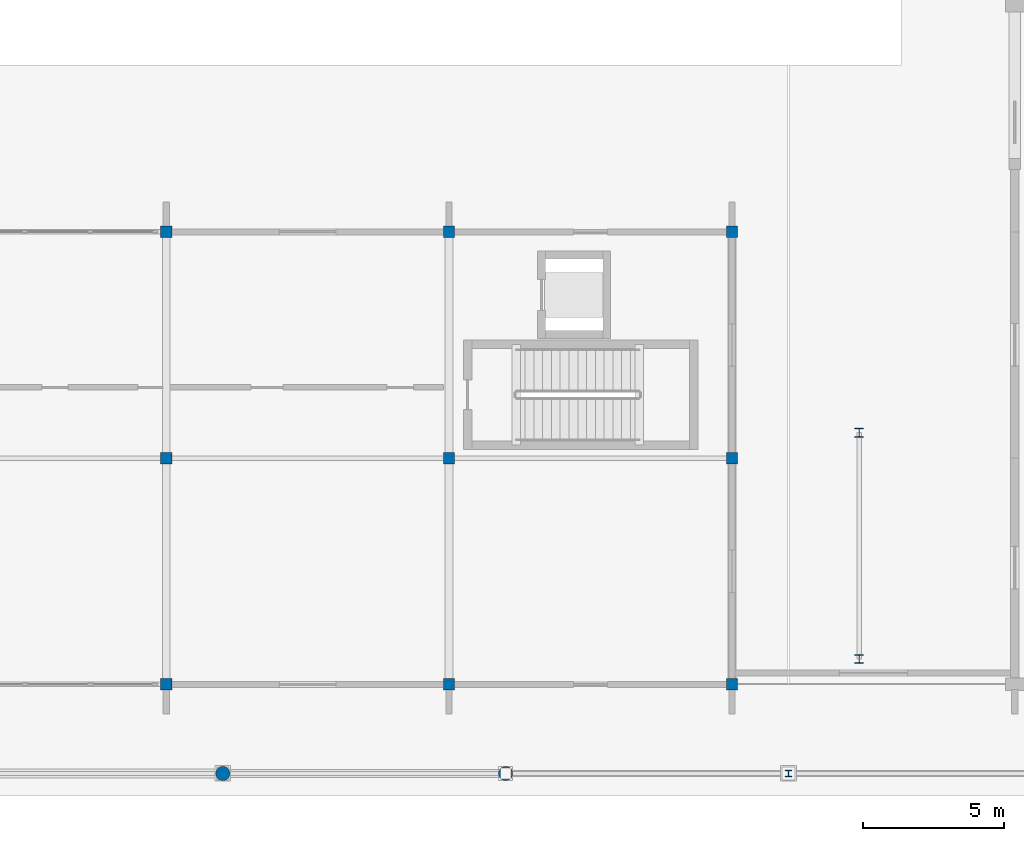
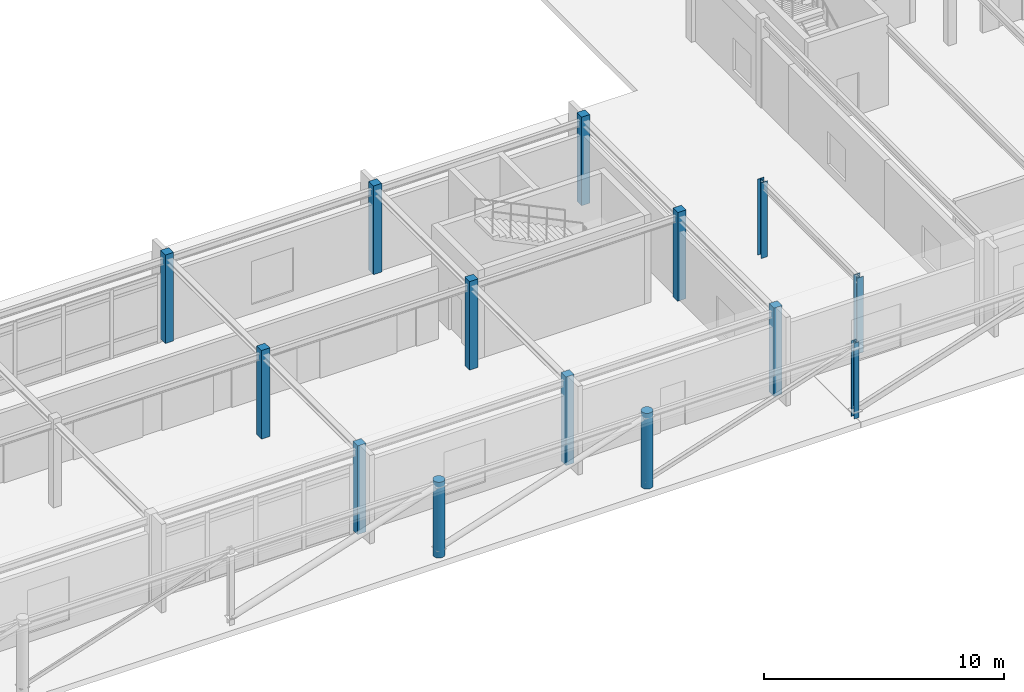
# One storey, part 2 of 61: 14 columns.
"""IFC4 building model written with IfcOpenShell, lengths in metres."""

from ifc_helpers import new_model, si_unit, direction, frame, origin, origin_2d, place, context, subcontext, project, spatial, rectangle, circle, i_section, extrude, material, material_profile, profile_set, type_object, element, save


model = new_model("IFC4")

# Units and contexts
model_context = context("Model", 3, precision=1e-05, world=origin(), true_north=direction((0.0, 1.0)))
body_context = subcontext(model_context, "Body", "Model", "MODEL_VIEW")
ifc_project = project(units=[si_unit("LENGTHUNIT", "METRE"), si_unit("AREAUNIT", "SQUARE_METRE"), si_unit("VOLUMEUNIT", "CUBIC_METRE"), si_unit("PLANEANGLEUNIT", "RADIAN"), si_unit("MASSUNIT", "GRAM", prefix="KILO")], contexts=[model_context])

# Site, building, storey
site_placement = place(None, origin())
site = spatial("IfcSite", under=ifc_project, at=site_placement, CompositionType="ELEMENT")
building_placement = place(site_placement, origin())
building = spatial("IfcBuilding", under=site, at=building_placement, Name="Zimvara Arc Housing Community", CompositionType="ELEMENT")
storey_placement = place(building_placement, origin())
storey = spatial("IfcBuildingStorey", under=building, at=storey_placement, Name="L00", CompositionType="ELEMENT", Elevation=0.0)

# Columns
ifc_material_1 = material(Name="Concrete C40/50", Category="concrete")
ifc_material_profile_1 = material_profile(ifc_material_1, rectangle(XDim=0.39990234375, YDim=0.39990234375, at=origin_2d()), Name="RC 400x400")
ifc_profile_set_1 = profile_set([ifc_material_profile_1], Name="Concrete C40/50")
column_type_1 = type_object("IfcColumnType", Name="COL-RC-400x400", PredefinedType="COLUMN", material=ifc_profile_set_1)
for number, where, z_axis, x_axis, name in (
    (1, (38.0, 3.60009765625, 0.0), (0.0, 0.0, 1.0), (1.0, 0.0, 0.0), "col:shops:L00:x4:y0"),
    (2, (38.0, 11.60009765625, 0.0), (0.0, 0.0, 1.0), (1.0, 0.0, 0.0), "col:shops:L00:x4:y1"),
    (3, (38.0, 19.60009765625, 0.0), (0.0, 0.0, 1.0), (1.0, 0.0, 0.0), "col:shops:L00:x4:y2"),
    (4, (48.0, 3.60009765625, 0.0), (0.0, 0.0, 1.0), (1.0, 0.0, 0.0), "col:shops:L00:x5:y0"),
    (5, (48.0, 11.60009765625, 0.0), (0.0, 0.0, 1.0), (1.0, 0.0, 0.0), "col:shops:L00:x5:y1"),
    (6, (48.0, 19.60009765625, 0.0), (0.0, 0.0, 1.0), (1.0, 0.0, 0.0), "col:shops:L00:x5:y2"),
    (7, (58.0, 3.60009765625, 0.0), (0.0, 0.0, 1.0), (1.0, 0.0, 0.0), "col:shops:L00:x6:y0"),
    (8, (58.0, 11.60009765625, 0.0), (0.0, 0.0, 1.0), (1.0, 0.0, 0.0), "col:shops:L00:x6:y1"),
    (9, (58.0, 19.60009765625, 0.0), (0.0, 0.0, 1.0), (1.0, 0.0, 0.0), "col:shops:L00:x6:y2"),
):
    element("IfcColumn", number, at=place(storey_placement, frame(where, z_axis=z_axis, x_axis=x_axis)), inside=storey, type_object=column_type_1, Name=name, PredefinedType="COLUMN", context=body_context, shape_type="SweptSolid", body=[
        extrude(rectangle(XDim=0.39990234375, YDim=0.39990234375, at=origin_2d()), origin(), (0.0, 0.0, 1.0), 4.5),
    ])
ifc_material_2 = material(Name="Concrete C40/50", Category="concrete")
ifc_material_profile_2 = material_profile(ifc_material_2, circle(Radius=0.25, at=origin_2d()), Name="RC D500")
ifc_profile_set_2 = profile_set([ifc_material_profile_2], Name="Concrete C40/50")
column_type_2 = type_object("IfcColumnType", Name="COL-RC-D500", PredefinedType="COLUMN", material=ifc_profile_set_2)
for number, where, z_axis, x_axis, name in (
    (10, (40.0, 0.449951171875, 0.0), (0.0, 0.0, 1.0), (1.0, 0.0, 0.0), "col:colonnade:L00:4"),
    (11, (50.0, 0.449951171875, 0.0), (0.0, 0.0, 1.0), (1.0, 0.0, 0.0), "col:colonnade:L00:5"),
):
    element("IfcColumn", number, at=place(storey_placement, frame(where, z_axis=z_axis, x_axis=x_axis)), inside=storey, type_object=column_type_2, Name=name, PredefinedType="COLUMN", context=body_context, shape_type="SweptSolid", body=[
        extrude(circle(Radius=0.25, at=origin_2d()), origin(), (0.0, 0.0, 1.0), 3.85009765625),
    ])
ifc_material_3 = material(Name="Steel S355", Category="steel")
ifc_material_profile_3 = material_profile(ifc_material_3, i_section(OverallWidth=0.300048828125, OverallDepth=0.31005859375, WebThickness=0.009033203125, FlangeThickness=0.015380859375, FilletRadius=0.027099609375, at=origin_2d()), Name="HEA 320")
ifc_profile_set_3 = profile_set([ifc_material_profile_3], Name="Steel S355")
column_type_3 = type_object("IfcColumnType", Name="COL-ST-HEA320", PredefinedType="COLUMN", material=ifc_profile_set_3)
column_1_placement = place(storey_placement, frame((62.5, 12.5, 0.0), z_axis=(0.0, 0.0, 1.0), x_axis=(1.0, 0.0, 0.0)))
element("IfcColumn", 12, at=column_1_placement, inside=storey, type_object=column_type_3, Name="col:portal:L00:corepad:1", PredefinedType="COLUMN", context=body_context, shape_type="SweptSolid", body=[
    extrude(i_section(OverallWidth=0.300048828125, OverallDepth=0.31005859375, WebThickness=0.009033203125, FlangeThickness=0.015380859375, FilletRadius=0.027099609375, at=origin_2d()), origin(), (0.0, 0.0, 1.0), 3.85009765625),
])
ifc_material_4 = material(Name="Steel S355", Category="steel")
ifc_material_profile_4 = material_profile(ifc_material_4, i_section(OverallWidth=0.239990234375, OverallDepth=0.239990234375, WebThickness=0.010009765625, FlangeThickness=0.01708984375, FilletRadius=0.02099609375, at=origin_2d()), Name="HEB 240")
ifc_profile_set_4 = profile_set([ifc_material_profile_4], Name="Steel S355")
column_type_4 = type_object("IfcColumnType", Name="COL-ST-HEB240", PredefinedType="COLUMN", material=ifc_profile_set_4)
column_2_placement = place(storey_placement, frame((60.0, 0.449951171875, 0.0), z_axis=(0.0, 0.0, 1.0), x_axis=(1.0, 0.0, 0.0)))
element("IfcColumn", 13, at=column_2_placement, inside=storey, type_object=column_type_4, Name="col:colonnade:L00:6", PredefinedType="COLUMN", context=body_context, shape_type="SweptSolid", body=[
    extrude(i_section(OverallWidth=0.239990234375, OverallDepth=0.239990234375, WebThickness=0.010009765625, FlangeThickness=0.01708984375, FilletRadius=0.02099609375, at=origin_2d()), origin(), (0.0, 0.0, 1.0), 3.85009765625),
])
ifc_material_5 = material(Name="Steel S355", Category="steel")
ifc_material_profile_5 = material_profile(ifc_material_5, i_section(OverallWidth=0.300048828125, OverallDepth=0.300048828125, WebThickness=0.010986328125, FlangeThickness=0.01904296875, FilletRadius=0.027099609375, at=origin_2d()), Name="HEB 300")
ifc_profile_set_5 = profile_set([ifc_material_profile_5], Name="Steel S355")
column_type_5 = type_object("IfcColumnType", Name="COL-ST-HEB300", PredefinedType="COLUMN", material=ifc_profile_set_5)
column_3_placement = place(storey_placement, frame((62.5, 4.5, 0.0), z_axis=(0.0, 0.0, 1.0), x_axis=(1.0, 0.0, 0.0)))
element("IfcColumn", 14, at=column_3_placement, inside=storey, type_object=column_type_5, Name="col:portal:L00:portal:w", PredefinedType="COLUMN", context=body_context, shape_type="SweptSolid", body=[
    extrude(i_section(OverallWidth=0.300048828125, OverallDepth=0.300048828125, WebThickness=0.010986328125, FlangeThickness=0.01904296875, FilletRadius=0.027099609375, at=origin_2d()), origin(), (0.0, 0.0, 1.0), 3.85009765625),
])

save(model, "model.ifc")
